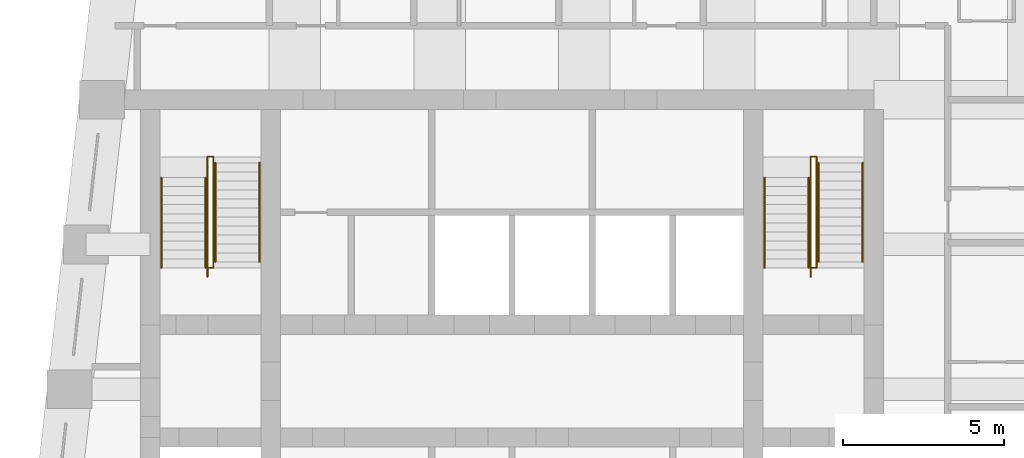
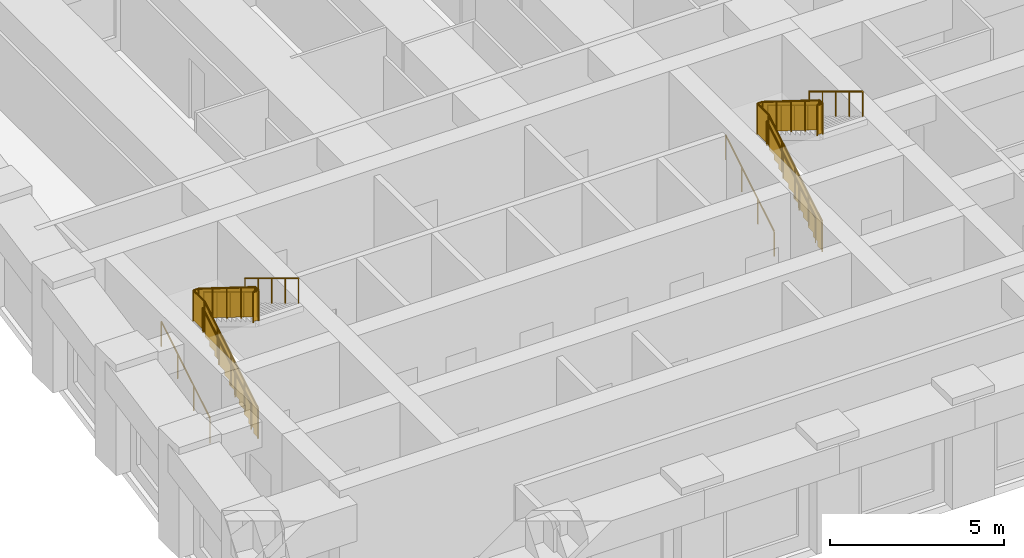
# One storey, part 7 of 7: 12 railings.
"""IFC4 building model written with IfcOpenShell, lengths in metres."""

import ifcopenshell
import ifcopenshell.guid

model = None  # the IFC model being written
_history = None  # IfcOwnerHistory: only IFC2X3 demands one
_inside = {}  # id of a spatial element -> (the spatial element, [elements in it])
_under = {}  # id of a project, library or spatial element -> (it, [spatial elements below it])
_declared = {}  # id of a project -> (the project, [libraries it declares])
_typed = {}  # id of a type object -> (the type object, [elements of that type])
_made_of = {}  # id of a material, layer set ... -> (it, [elements and type objects made of it])


def new_model(schema):
    """Start an empty IFC model of exactly this schema.

    Asked for "IFC4X3", IfcOpenShell would pick the latest addendum, in which some entities
    have other attributes; the version numbers below select the first issue.
    IFC2X3 requires an IfcOwnerHistory on every rooted entity: one is made here for all.
    """
    global model, _history
    if schema == "IFC4X3":
        model = ifcopenshell.file(schema_version=(4, 3, 0, 0))
    else:
        model = ifcopenshell.file(schema=schema)
    _inside.clear()
    _under.clear()
    _declared.clear()
    _typed.clear()
    _made_of.clear()
    _history = None
    if model.schema == "IFC2X3":
        org = make("IfcOrganization", Name="unknown")
        user = make(
            "IfcPersonAndOrganization",
            ThePerson=make("IfcPerson", FamilyName="unknown"),
            TheOrganization=org,
        )
        app = make(
            "IfcApplication",
            ApplicationDeveloper=org,
            Version="unknown",
            ApplicationFullName="unknown",
            ApplicationIdentifier="unknown",
        )
        _history = make(
            "IfcOwnerHistory",
            OwningUser=user,
            OwningApplication=app,
            ChangeAction="ADDED",
            CreationDate=0,
        )
    return model


def make(cls, **values):
    """One entity of the class cls with the attributes given. An attribute that is None is left unset."""
    return model.create_entity(
        cls, **{name: value for name, value in values.items() if value is not None}
    )


def rooted(cls, **values):
    """An entity with a GlobalId (a new one), such as an element, a storey or a relation."""
    return make(cls, GlobalId=ifcopenshell.guid.new(), OwnerHistory=_history, **values)


def si_unit(unit_type, name, prefix=None):
    """IfcSIUnit, for example si_unit("LENGTHUNIT", "METRE", prefix="MILLI")."""
    return make("IfcSIUnit", UnitType=unit_type, Prefix=prefix, Name=name)


def assignment(units):
    """IfcUnitAssignment: the units of a project."""
    return None if units is None else make("IfcUnitAssignment", Units=units)


def point(xyz):
    """IfcCartesianPoint."""
    return None if xyz is None else make("IfcCartesianPoint", Coordinates=xyz)


def direction(xyz):
    """IfcDirection."""
    return None if xyz is None else make("IfcDirection", DirectionRatios=xyz)


def frame(location, z_axis=None, x_axis=None):
    """IfcAxis2Placement3D, a coordinate frame: its origin and axes. An axis left out is left unset."""
    return make(
        "IfcAxis2Placement3D",
        Location=point(location),
        Axis=direction(z_axis),
        RefDirection=direction(x_axis),
    )


def frame_2d(location, x_axis=None):
    """IfcAxis2Placement2D, a coordinate frame in the plane: its origin and x axis."""
    return make(
        "IfcAxis2Placement2D", Location=point(location), RefDirection=direction(x_axis)
    )


def origin():
    """The frame at (0, 0, 0) with its axes left unset."""
    return frame((0.0, 0.0, 0.0))


def origin_2d():
    """The frame at (0, 0) in the plane with its x axis left unset."""
    return frame_2d((0.0, 0.0))


def place(relative_to, where):
    """IfcLocalPlacement: puts the frame where relative to a parent placement (None: the world)."""
    return make(
        "IfcLocalPlacement", PlacementRelTo=relative_to, RelativePlacement=where
    )


def context(
    kind, dimensions, precision=None, world=None, true_north=None, identifier=None
):
    """IfcGeometricRepresentationContext, for example the 3D "Model" context."""
    return make(
        "IfcGeometricRepresentationContext",
        ContextIdentifier=identifier,
        ContextType=kind,
        CoordinateSpaceDimension=dimensions,
        Precision=precision,
        WorldCoordinateSystem=world,
        TrueNorth=true_north,
    )


def subcontext(parent, identifier, kind, view, scale=None):
    """IfcGeometricRepresentationSubContext, for example "Body" below "Model"."""
    return make(
        "IfcGeometricRepresentationSubContext",
        ContextIdentifier=identifier,
        ContextType=kind,
        ParentContext=parent,
        TargetScale=scale,
        TargetView=view,
    )


def project(units=None, contexts=None):
    """IfcProject with its units and contexts."""
    return rooted(
        "IfcProject",
        Name="project",
        RepresentationContexts=contexts,
        UnitsInContext=assignment(units),
    )


def spatial(cls, under=None, at=None, **own):
    """A site, building, storey or space (cls), placed at a placement, below another one or the project."""
    s = rooted(cls, ObjectPlacement=at, **own)
    if under is not None:
        _under.setdefault(under.id(), (under, []))[1].append(s)
    return s


def polyline(points):
    """IfcPolyline through the points."""
    return make("IfcPolyline", Points=[point(p) for p in points])


def profile(cls, at=None, kind="AREA", **sizes):
    """A parametric profile (cls). Its sizes go by their IFC names, for example OverallWidth=200.0."""
    return make(cls, ProfileType=kind, Position=at, **sizes)


def circle(**sizes):
    """IfcCircleProfileDef."""
    return profile("IfcCircleProfileDef", **sizes)


def outline(outer, holes=None, kind="AREA"):
    """IfcArbitraryClosedProfileDef: a profile drawn as a closed curve; with holes, ...WithVoids."""
    if holes is None:
        return make("IfcArbitraryClosedProfileDef", ProfileType=kind, OuterCurve=outer)
    return make(
        "IfcArbitraryProfileDefWithVoids",
        ProfileType=kind,
        OuterCurve=outer,
        InnerCurves=holes,
    )


def extrude(swept, where, along, depth):
    """IfcExtrudedAreaSolid: the profile swept, set in the frame where, extruded along a direction by depth."""
    return make(
        "IfcExtrudedAreaSolid",
        SweptArea=swept,
        Position=where,
        ExtrudedDirection=direction(along),
        Depth=depth,
    )


def shape(context_of_items, identifier, shape_type, items):
    """IfcShapeRepresentation: the items that make up one representation, for example the "Body"."""
    return make(
        "IfcShapeRepresentation",
        ContextOfItems=context_of_items,
        RepresentationIdentifier=identifier,
        RepresentationType=shape_type,
        Items=items,
    )


def material(Name=None, Category=None):
    """IfcMaterial."""
    return make("IfcMaterial", Name=Name, Category=Category)


def made_of(thing, what):
    """Note that an element or type object is made of a material, layer set ...; save() writes the relation."""
    if what is not None:
        _made_of.setdefault(what.id(), (what, []))[1].append(thing)
    return thing


def type_object(cls, material=None, **own):
    """A type object (cls), such as IfcWallType, which elements share."""
    return made_of(rooted(cls, **own), material)


def element(
    cls,
    number,
    at=None,
    inside=None,
    cuts=None,
    type_object=None,
    material=None,
    context=None,
    identifier="Body",
    shape_type=None,
    held_by="IfcProductDefinitionShape",
    body=None,
    shapes=None,
    **own,
):
    """One element of the class cls, such as IfcWall. Its Tag is "e" and its number.

    at: its placement. inside: the storey or other place that contains it. cuts: it is an
    opening in that element (IfcRelVoidsElement). A single representation is given by context,
    identifier, shape_type and body (its items); several are given by shapes. held_by: the class
    of the entity that holds the representations. save() writes the other relations.
    """
    e = rooted(cls, Tag="e%d" % number, ObjectPlacement=at, **own)
    if body is not None:
        shapes = [shape(context, identifier, shape_type, body)]
    if shapes is not None:
        e.Representation = make(held_by, Representations=shapes)
    if inside is not None:
        _inside.setdefault(inside.id(), (inside, []))[1].append(e)
    if cuts is not None:
        rooted(
            "IfcRelVoidsElement", RelatingBuildingElement=cuts, RelatedOpeningElement=e
        )
    if type_object is not None:
        _typed.setdefault(type_object.id(), (type_object, []))[1].append(e)
    return made_of(e, material)


def aggregate(whole, parts):
    """IfcRelAggregates: a whole, such as a stair, and the parts it consists of."""
    return rooted("IfcRelAggregates", RelatingObject=whole, RelatedObjects=parts)


def save(model, path):
    """Write the relations noted so far, then the file.

    IfcRelAggregates (storeys below a building ...), IfcRelContainedInSpatialStructure (elements
    in a storey), IfcRelDefinesByType, IfcRelAssociatesMaterial and IfcRelDeclares: one each for
    every whole, place, type object, material and project.
    """
    for whole, parts in _under.values():
        aggregate(whole, parts)
    for where, things in _inside.values():
        rooted(
            "IfcRelContainedInSpatialStructure",
            RelatedElements=things,
            RelatingStructure=where,
        )
    for kind, things in _typed.values():
        rooted("IfcRelDefinesByType", RelatedObjects=things, RelatingType=kind)
    for what, things in _made_of.values():
        rooted("IfcRelAssociatesMaterial", RelatedObjects=things, RelatingMaterial=what)
    for by, libraries in _declared.values():
        rooted("IfcRelDeclares", RelatingContext=by, RelatedDefinitions=libraries)
    model.write(path)


model = new_model("IFC4")

# Units and contexts
model_context = context("Model", 3, precision=1e-05, world=origin(), true_north=direction((0.0, 1.0)))
body_context = subcontext(model_context, "Body", "Model", "MODEL_VIEW")
ifc_project = project(units=[si_unit("LENGTHUNIT", "METRE"), si_unit("AREAUNIT", "SQUARE_METRE"), si_unit("VOLUMEUNIT", "CUBIC_METRE"), si_unit("PLANEANGLEUNIT", "RADIAN"), si_unit("MASSUNIT", "GRAM", prefix="KILO")], contexts=[model_context])

# Site, building, storey
site_placement = place(None, origin())
site = spatial("IfcSite", under=ifc_project, at=site_placement, CompositionType="ELEMENT")
building_placement = place(site_placement, origin())
building = spatial("IfcBuilding", under=site, at=building_placement, Name="Kilele Tower Hotel", CompositionType="ELEMENT")
storey_placement = place(building_placement, frame((0.0, 0.0, 266.300048828125)))
storey = spatial("IfcBuildingStorey", under=building, at=storey_placement, Name="L68", CompositionType="ELEMENT", Elevation=266.300048828125)

# Railings
ifc_material_1 = material(Name="Steel handrail", Category="steel")
railing_type_1 = type_object("IfcRailingType", Name="Handrail 900", PredefinedType="HANDRAIL", material=ifc_material_1)
for number, where, name in (
    (1, (13.85009765625, 21.77490234375, 0.16943359375), "Handrail ST1 flight 1"),
    (2, (15.22509765625, 21.77490234375, 0.16943359375), "Handrail ST1 flight 1"),
):
    element("IfcRailing", number, at=place(storey_placement, frame(where)), inside=storey, type_object=railing_type_1, Name=name, PredefinedType="HANDRAIL", context=body_context, shape_type="SweptSolid", body=[
        extrude(circle(Radius=0.02490234375, at=origin_2d()), frame((0.0, 0.0, 0.875), z_axis=(0.0, 0.855360072898, 0.518033923302), x_axis=(-1.0, 0.0, 0.0)), (0.0, 0.0, 1.0), 3.2734375),
        extrude(circle(Radius=0.02001953125, at=origin_2d()), origin(), (0.0, 0.0, 1.0), 0.849853515625),
        extrude(circle(Radius=0.02001953125, at=origin_2d()), frame((0.0, 0.933349609375, 0.565185546875)), (0.0, 0.0, 1.0), 0.849853515625),
        extrude(circle(Radius=0.02001953125, at=origin_2d()), frame((0.0, 1.86669921875, 1.130615234375)), (0.0, 0.0, 1.0), 0.849853515625),
        extrude(circle(Radius=0.02001953125, at=origin_2d()), frame((0.0, 2.800048828125, 1.69580078125)), (0.0, 0.0, 1.0), 0.849853515625),
    ])
for number, where, name in (
    (3, (15.52490234375, 25.0400390625, 2.03466796875), "Handrail ST1 flight 2"),
    (4, (16.89990234375, 25.0400390625, 2.03466796875), "Handrail ST1 flight 2"),
):
    element("IfcRailing", number, at=place(storey_placement, frame(where)), inside=storey, type_object=railing_type_1, Name=name, PredefinedType="HANDRAIL", context=body_context, shape_type="SweptSolid", body=[
        extrude(circle(Radius=0.02490234375, at=origin_2d()), frame((0.0, 0.0, 0.875), z_axis=(0.0, -0.855379917629, 0.518001154937), x_axis=(1.0, 0.0, 0.0)), (0.0, 0.0, 1.0), 3.600830078125),
        extrude(circle(Radius=0.02001953125, at=origin_2d()), origin(), (0.0, 0.0, 1.0), 0.849853515625),
        extrude(circle(Radius=0.02001953125, at=origin_2d()), frame((0.0, -0.77001953125, 0.46630859375)), (0.0, 0.0, 1.0), 0.849853515625),
        extrude(circle(Radius=0.02001953125, at=origin_2d()), frame((0.0, -1.5400390625, 0.9326171875)), (0.0, 0.0, 1.0), 0.849853515625),
        extrude(circle(Radius=0.02001953125, at=origin_2d()), frame((0.0, -2.31005859375, 1.39892578125)), (0.0, 0.0, 1.0), 0.849853515625),
        extrude(circle(Radius=0.02001953125, at=origin_2d()), frame((0.0, -3.080078125, 1.865234375)), (0.0, 0.0, 1.0), 0.849853515625),
    ])
for number, where, name in (
    (5, (32.60009765625, 21.77490234375, 0.16943359375), "Handrail ST2 flight 1"),
    (6, (33.97509765625, 21.77490234375, 0.16943359375), "Handrail ST2 flight 1"),
):
    element("IfcRailing", number, at=place(storey_placement, frame(where)), inside=storey, type_object=railing_type_1, Name=name, PredefinedType="HANDRAIL", context=body_context, shape_type="SweptSolid", body=[
        extrude(circle(Radius=0.02490234375, at=origin_2d()), frame((0.0, 0.0, 0.875), z_axis=(0.0, 0.855360072898, 0.518033923302), x_axis=(-1.0, 0.0, 0.0)), (0.0, 0.0, 1.0), 3.2734375),
        extrude(circle(Radius=0.02001953125, at=origin_2d()), origin(), (0.0, 0.0, 1.0), 0.849853515625),
        extrude(circle(Radius=0.02001953125, at=origin_2d()), frame((0.0, 0.933349609375, 0.565185546875)), (0.0, 0.0, 1.0), 0.849853515625),
        extrude(circle(Radius=0.02001953125, at=origin_2d()), frame((0.0, 1.86669921875, 1.130615234375)), (0.0, 0.0, 1.0), 0.849853515625),
        extrude(circle(Radius=0.02001953125, at=origin_2d()), frame((0.0, 2.800048828125, 1.69580078125)), (0.0, 0.0, 1.0), 0.849853515625),
    ])
for number, where, name in (
    (7, (34.27490234375, 25.0400390625, 2.03466796875), "Handrail ST2 flight 2"),
    (8, (35.64990234375, 25.0400390625, 2.03466796875), "Handrail ST2 flight 2"),
):
    element("IfcRailing", number, at=place(storey_placement, frame(where)), inside=storey, type_object=railing_type_1, Name=name, PredefinedType="HANDRAIL", context=body_context, shape_type="SweptSolid", body=[
        extrude(circle(Radius=0.02490234375, at=origin_2d()), frame((0.0, 0.0, 0.875), z_axis=(0.0, -0.855379917629, 0.518001154937), x_axis=(1.0, 0.0, 0.0)), (0.0, 0.0, 1.0), 3.600830078125),
        extrude(circle(Radius=0.02001953125, at=origin_2d()), origin(), (0.0, 0.0, 1.0), 0.849853515625),
        extrude(circle(Radius=0.02001953125, at=origin_2d()), frame((0.0, -0.77001953125, 0.46630859375)), (0.0, 0.0, 1.0), 0.849853515625),
        extrude(circle(Radius=0.02001953125, at=origin_2d()), frame((0.0, -1.5400390625, 0.9326171875)), (0.0, 0.0, 1.0), 0.849853515625),
        extrude(circle(Radius=0.02001953125, at=origin_2d()), frame((0.0, -2.31005859375, 1.39892578125)), (0.0, 0.0, 1.0), 0.849853515625),
        extrude(circle(Radius=0.02001953125, at=origin_2d()), frame((0.0, -3.080078125, 1.865234375)), (0.0, 0.0, 1.0), 0.849853515625),
    ])
ifc_material_2 = material(Name="Steel guard", Category="steel")
railing_type_2 = type_object("IfcRailingType", Name="Stair guard 1100", PredefinedType="GUARDRAIL", material=ifc_material_2)
railing_1_placement = place(storey_placement, frame((15.284912109375, 21.4951171875, 0.0)))
element("IfcRailing", 9, at=railing_1_placement, inside=storey, type_object=railing_type_2, Name="Stair well guard ST1 flight 1", PredefinedType="GUARDRAIL", context=body_context, shape_type="SweptSolid", body=[
    extrude(circle(Radius=0.02490234375, at=origin_2d()), frame((0.0, 0.0, 1.0751953125), z_axis=(0.0, 0.855361723277, 0.518031198243), x_axis=(-1.0, 0.0, 0.0)), (0.0, 0.0, 1.0), 3.6005859375),
    extrude(circle(Radius=0.02490234375, at=origin_2d()), frame((0.0, 3.079833984375, 2.9404296875), z_axis=(0.0, 1.0, 0.0), x_axis=(-1.0, 0.0, 0.0)), (0.0, 0.0, 1.0), 0.650146484375),
    extrude(circle(Radius=0.02490234375, at=origin_2d()), frame((0.0, 3.72998046875, 2.9404296875), z_axis=(1.0, 0.0, 0.0), x_axis=(0.0, 1.0, 0.0)), (0.0, 0.0, 1.0), 0.18017578125),
    extrude(circle(Radius=0.02490234375, at=origin_2d()), origin(), (0.0, 0.0, 1.0), 1.050048828125),
    extrude(circle(Radius=0.02490234375, at=origin_2d()), frame((0.0, 0.77001953125, 0.46630859375)), (0.0, 0.0, 1.0), 1.050048828125),
    extrude(circle(Radius=0.02490234375, at=origin_2d()), frame((0.0, 1.5400390625, 0.9326171875)), (0.0, 0.0, 1.0), 1.050048828125),
    extrude(circle(Radius=0.02490234375, at=origin_2d()), frame((0.0, 2.309814453125, 1.39892578125)), (0.0, 0.0, 1.0), 1.050048828125),
    extrude(circle(Radius=0.02490234375, at=origin_2d()), frame((0.0, 3.079833984375, 1.865234375)), (0.0, 0.0, 1.0), 1.050048828125),
    extrude(circle(Radius=0.02490234375, at=origin_2d()), frame((0.0, 3.72998046875, 1.865234375)), (0.0, 0.0, 1.0), 1.050048828125),
    extrude(circle(Radius=0.02490234375, at=origin_2d()), frame((0.18017578125, 3.72998046875, 1.865234375)), (0.0, 0.0, 1.0), 1.050048828125),
    extrude(outline(polyline([(0.012451171875, 0.030029296875), (0.25, 0.030029296875), (0.25, 0.19970703125), (0.530029296875, 0.19970703125), (0.530029296875, 0.369140625), (0.809814453125, 0.369140625), (0.809814453125, 0.538818359375), (1.08984375, 0.538818359375), (1.08984375, 0.708251953125), (1.369873046875, 0.708251953125), (1.369873046875, 0.8779296875), (1.64990234375, 0.8779296875), (1.64990234375, 1.04736328125), (1.929931640625, 1.04736328125), (1.929931640625, 1.217041015625), (2.2099609375, 1.217041015625), (2.2099609375, 1.386474609375), (2.48974609375, 1.386474609375), (2.48974609375, 1.55615234375), (2.769775390625, 1.55615234375), (2.769775390625, 1.7255859375), (3.0498046875, 1.7255859375), (3.0498046875, 1.895263671875), (3.0673828125, 1.895263671875), (3.0673828125, 2.903564453125), (0.012451171875, 1.053466796875), (0.012451171875, 0.030029296875)])), frame((-0.005859375, 0.0, 0.0), z_axis=(1.0, 0.0, 0.0), x_axis=(0.0, 1.0, 0.0)), (0.0, 0.0, 1.0), 0.011962890625),
    extrude(outline(polyline([(0.012451171875, 0.030029296875), (0.6376953125, 0.030029296875), (0.6376953125, 1.050048828125), (0.012451171875, 1.050048828125), (0.012451171875, 0.030029296875)])), frame((-0.005859375, 3.079833984375, 1.865234375), z_axis=(1.0, 0.0, 0.0), x_axis=(0.0, 1.0, 0.0)), (0.0, 0.0, 1.0), 0.011962890625),
    extrude(outline(polyline([(0.012451171875, 0.030029296875), (0.18017578125, 0.030029296875), (0.18017578125, 1.050048828125), (0.012451171875, 1.050048828125), (0.012451171875, 0.030029296875)])), frame((0.0, 3.73583984375, 1.865234375), z_axis=(0.0, -1.0, 0.0), x_axis=(1.0, 0.0, 0.0)), (0.0, 0.0, 1.0), 0.011962890625),
])
railing_2_placement = place(storey_placement, frame((15.465087890625, 25.22509765625, 1.865234375)))
element("IfcRailing", 10, at=railing_2_placement, inside=storey, type_object=railing_type_2, Name="Stair well guard ST1 flight 2", PredefinedType="GUARDRAIL", context=body_context, shape_type="SweptSolid", body=[
    extrude(circle(Radius=0.02490234375, at=origin_2d()), frame((0.0, 0.0, 1.0751953125), z_axis=(0.0, -0.848703446432, 0.528869038624), x_axis=(1.0, 0.0, 0.0)), (0.0, 0.0, 1.0), 3.84716796875),
    extrude(circle(Radius=0.02490234375, at=origin_2d()), frame((0.0, -3.26513671875, 3.10986328125), z_axis=(0.0, -1.0, 0.0), x_axis=(1.0, 0.0, 0.0)), (0.0, 0.0, 1.0), 0.18505859375),
    extrude(circle(Radius=0.02490234375, at=origin_2d()), frame((0.0, -3.4501953125, 3.10986328125), z_axis=(-1.0, 0.0, 0.0), x_axis=(0.0, -1.0, 0.0)), (0.0, 0.0, 1.0), 0.18017578125),
    extrude(circle(Radius=0.02490234375, at=origin_2d()), origin(), (0.0, 0.0, 1.0), 1.050048828125),
    extrude(circle(Radius=0.02490234375, at=origin_2d()), frame((0.0, -0.81640625, 0.5087890625)), (0.0, 0.0, 1.0), 1.050048828125),
    extrude(circle(Radius=0.02490234375, at=origin_2d()), frame((0.0, -1.632568359375, 1.017333984375)), (0.0, 0.0, 1.0), 1.050048828125),
    extrude(circle(Radius=0.02490234375, at=origin_2d()), frame((0.0, -2.44873046875, 1.52587890625)), (0.0, 0.0, 1.0), 1.050048828125),
    extrude(circle(Radius=0.02490234375, at=origin_2d()), frame((0.0, -3.26513671875, 2.03466796875)), (0.0, 0.0, 1.0), 1.050048828125),
    extrude(circle(Radius=0.02490234375, at=origin_2d()), frame((0.0, -3.4501953125, 2.03466796875)), (0.0, 0.0, 1.0), 1.050048828125),
    extrude(circle(Radius=0.02490234375, at=origin_2d()), frame((-0.18017578125, -3.4501953125, 2.03466796875)), (0.0, 0.0, 1.0), 1.050048828125),
    extrude(outline(polyline([(0.0, 0.030029296875), (3.252685546875, 2.056884765625), (3.252685546875, 3.072509765625), (0.0, 1.045654296875), (0.0, 0.030029296875)])), frame((0.005859375, 0.0, 0.0), z_axis=(-1.0, 0.0, 0.0), x_axis=(0.0, -1.0, 0.0)), (0.0, 0.0, 1.0), 0.011962890625),
    extrude(outline(polyline([(0.012451171875, 0.030029296875), (0.172607421875, 0.030029296875), (0.172607421875, 1.050048828125), (0.012451171875, 1.050048828125), (0.012451171875, 0.030029296875)])), frame((0.005859375, -3.26513671875, 2.03466796875), z_axis=(-1.0, 0.0, 0.0), x_axis=(0.0, -1.0, 0.0)), (0.0, 0.0, 1.0), 0.011962890625),
    extrude(outline(polyline([(0.012451171875, 0.030029296875), (0.18017578125, 0.030029296875), (0.18017578125, 1.050048828125), (0.012451171875, 1.050048828125), (0.012451171875, 0.030029296875)])), frame((0.0, -3.4560546875, 2.03466796875), z_axis=(0.0, 1.0, 0.0), x_axis=(-1.0, 0.0, 0.0)), (0.0, 0.0, 1.0), 0.011962890625),
])
railing_3_placement = place(storey_placement, frame((34.034912109375, 21.4951171875, 0.0)))
element("IfcRailing", 11, at=railing_3_placement, inside=storey, type_object=railing_type_2, Name="Stair well guard ST2 flight 1", PredefinedType="GUARDRAIL", context=body_context, shape_type="SweptSolid", body=[
    extrude(circle(Radius=0.02490234375, at=origin_2d()), frame((0.0, 0.0, 1.0751953125), z_axis=(0.0, 0.855361723277, 0.518031198243), x_axis=(-1.0, 0.0, 0.0)), (0.0, 0.0, 1.0), 3.6005859375),
    extrude(circle(Radius=0.02490234375, at=origin_2d()), frame((0.0, 3.079833984375, 2.9404296875), z_axis=(0.0, 1.0, 0.0), x_axis=(-1.0, 0.0, 0.0)), (0.0, 0.0, 1.0), 0.650146484375),
    extrude(circle(Radius=0.02490234375, at=origin_2d()), frame((0.0, 3.72998046875, 2.9404296875), z_axis=(1.0, 0.0, 0.0), x_axis=(0.0, 1.0, 0.0)), (0.0, 0.0, 1.0), 0.18017578125),
    extrude(circle(Radius=0.02490234375, at=origin_2d()), origin(), (0.0, 0.0, 1.0), 1.050048828125),
    extrude(circle(Radius=0.02490234375, at=origin_2d()), frame((0.0, 0.77001953125, 0.46630859375)), (0.0, 0.0, 1.0), 1.050048828125),
    extrude(circle(Radius=0.02490234375, at=origin_2d()), frame((0.0, 1.5400390625, 0.9326171875)), (0.0, 0.0, 1.0), 1.050048828125),
    extrude(circle(Radius=0.02490234375, at=origin_2d()), frame((0.0, 2.309814453125, 1.39892578125)), (0.0, 0.0, 1.0), 1.050048828125),
    extrude(circle(Radius=0.02490234375, at=origin_2d()), frame((0.0, 3.079833984375, 1.865234375)), (0.0, 0.0, 1.0), 1.050048828125),
    extrude(circle(Radius=0.02490234375, at=origin_2d()), frame((0.0, 3.72998046875, 1.865234375)), (0.0, 0.0, 1.0), 1.050048828125),
    extrude(circle(Radius=0.02490234375, at=origin_2d()), frame((0.18017578125, 3.72998046875, 1.865234375)), (0.0, 0.0, 1.0), 1.050048828125),
    extrude(outline(polyline([(0.012451171875, 0.030029296875), (0.25, 0.030029296875), (0.25, 0.19970703125), (0.530029296875, 0.19970703125), (0.530029296875, 0.369140625), (0.809814453125, 0.369140625), (0.809814453125, 0.538818359375), (1.08984375, 0.538818359375), (1.08984375, 0.708251953125), (1.369873046875, 0.708251953125), (1.369873046875, 0.8779296875), (1.64990234375, 0.8779296875), (1.64990234375, 1.04736328125), (1.929931640625, 1.04736328125), (1.929931640625, 1.217041015625), (2.2099609375, 1.217041015625), (2.2099609375, 1.386474609375), (2.48974609375, 1.386474609375), (2.48974609375, 1.55615234375), (2.769775390625, 1.55615234375), (2.769775390625, 1.7255859375), (3.0498046875, 1.7255859375), (3.0498046875, 1.895263671875), (3.0673828125, 1.895263671875), (3.0673828125, 2.903564453125), (0.012451171875, 1.053466796875), (0.012451171875, 0.030029296875)])), frame((-0.005859375, 0.0, 0.0), z_axis=(1.0, 0.0, 0.0), x_axis=(0.0, 1.0, 0.0)), (0.0, 0.0, 1.0), 0.011962890625),
    extrude(outline(polyline([(0.012451171875, 0.030029296875), (0.6376953125, 0.030029296875), (0.6376953125, 1.050048828125), (0.012451171875, 1.050048828125), (0.012451171875, 0.030029296875)])), frame((-0.005859375, 3.079833984375, 1.865234375), z_axis=(1.0, 0.0, 0.0), x_axis=(0.0, 1.0, 0.0)), (0.0, 0.0, 1.0), 0.011962890625),
    extrude(outline(polyline([(0.012451171875, 0.030029296875), (0.18017578125, 0.030029296875), (0.18017578125, 1.050048828125), (0.012451171875, 1.050048828125), (0.012451171875, 0.030029296875)])), frame((0.0, 3.73583984375, 1.865234375), z_axis=(0.0, -1.0, 0.0), x_axis=(1.0, 0.0, 0.0)), (0.0, 0.0, 1.0), 0.011962890625),
])
railing_4_placement = place(storey_placement, frame((34.215087890625, 25.22509765625, 1.865234375)))
element("IfcRailing", 12, at=railing_4_placement, inside=storey, type_object=railing_type_2, Name="Stair well guard ST2 flight 2", PredefinedType="GUARDRAIL", context=body_context, shape_type="SweptSolid", body=[
    extrude(circle(Radius=0.02490234375, at=origin_2d()), frame((0.0, 0.0, 1.0751953125), z_axis=(0.0, -0.848703446432, 0.528869038624), x_axis=(1.0, 0.0, 0.0)), (0.0, 0.0, 1.0), 3.84716796875),
    extrude(circle(Radius=0.02490234375, at=origin_2d()), frame((0.0, -3.26513671875, 3.10986328125), z_axis=(0.0, -1.0, 0.0), x_axis=(1.0, 0.0, 0.0)), (0.0, 0.0, 1.0), 0.18505859375),
    extrude(circle(Radius=0.02490234375, at=origin_2d()), frame((0.0, -3.4501953125, 3.10986328125), z_axis=(-1.0, 0.0, 0.0), x_axis=(0.0, -1.0, 0.0)), (0.0, 0.0, 1.0), 0.18017578125),
    extrude(circle(Radius=0.02490234375, at=origin_2d()), origin(), (0.0, 0.0, 1.0), 1.050048828125),
    extrude(circle(Radius=0.02490234375, at=origin_2d()), frame((0.0, -0.81640625, 0.5087890625)), (0.0, 0.0, 1.0), 1.050048828125),
    extrude(circle(Radius=0.02490234375, at=origin_2d()), frame((0.0, -1.632568359375, 1.017333984375)), (0.0, 0.0, 1.0), 1.050048828125),
    extrude(circle(Radius=0.02490234375, at=origin_2d()), frame((0.0, -2.44873046875, 1.52587890625)), (0.0, 0.0, 1.0), 1.050048828125),
    extrude(circle(Radius=0.02490234375, at=origin_2d()), frame((0.0, -3.26513671875, 2.03466796875)), (0.0, 0.0, 1.0), 1.050048828125),
    extrude(circle(Radius=0.02490234375, at=origin_2d()), frame((0.0, -3.4501953125, 2.03466796875)), (0.0, 0.0, 1.0), 1.050048828125),
    extrude(circle(Radius=0.02490234375, at=origin_2d()), frame((-0.18017578125, -3.4501953125, 2.03466796875)), (0.0, 0.0, 1.0), 1.050048828125),
    extrude(outline(polyline([(0.0, 0.030029296875), (3.252685546875, 2.056884765625), (3.252685546875, 3.072509765625), (0.0, 1.045654296875), (0.0, 0.030029296875)])), frame((0.005859375, 0.0, 0.0), z_axis=(-1.0, 0.0, 0.0), x_axis=(0.0, -1.0, 0.0)), (0.0, 0.0, 1.0), 0.011962890625),
    extrude(outline(polyline([(0.012451171875, 0.030029296875), (0.172607421875, 0.030029296875), (0.172607421875, 1.050048828125), (0.012451171875, 1.050048828125), (0.012451171875, 0.030029296875)])), frame((0.005859375, -3.26513671875, 2.03466796875), z_axis=(-1.0, 0.0, 0.0), x_axis=(0.0, -1.0, 0.0)), (0.0, 0.0, 1.0), 0.011962890625),
    extrude(outline(polyline([(0.012451171875, 0.030029296875), (0.18017578125, 0.030029296875), (0.18017578125, 1.050048828125), (0.012451171875, 1.050048828125), (0.012451171875, 0.030029296875)])), frame((0.0, -3.4560546875, 2.03466796875), z_axis=(0.0, 1.0, 0.0), x_axis=(-1.0, 0.0, 0.0)), (0.0, 0.0, 1.0), 0.011962890625),
])

save(model, "model.ifc")
